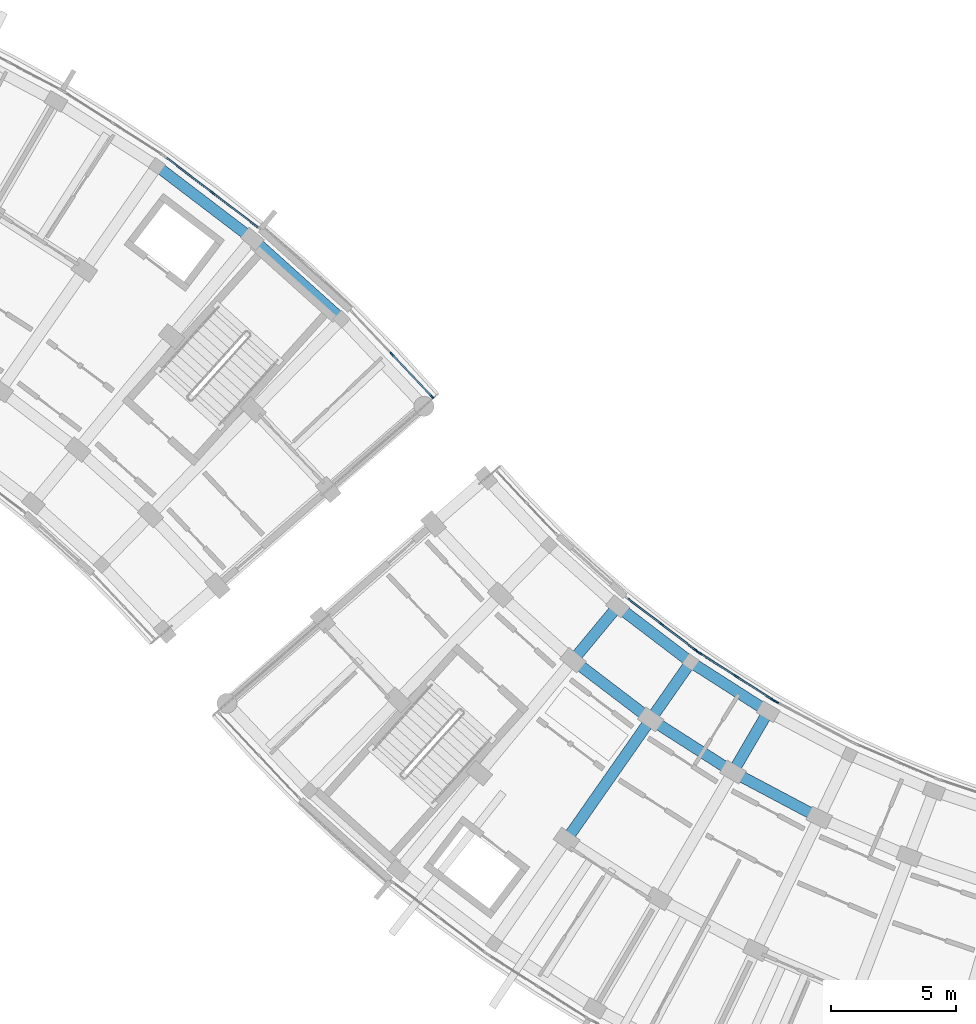
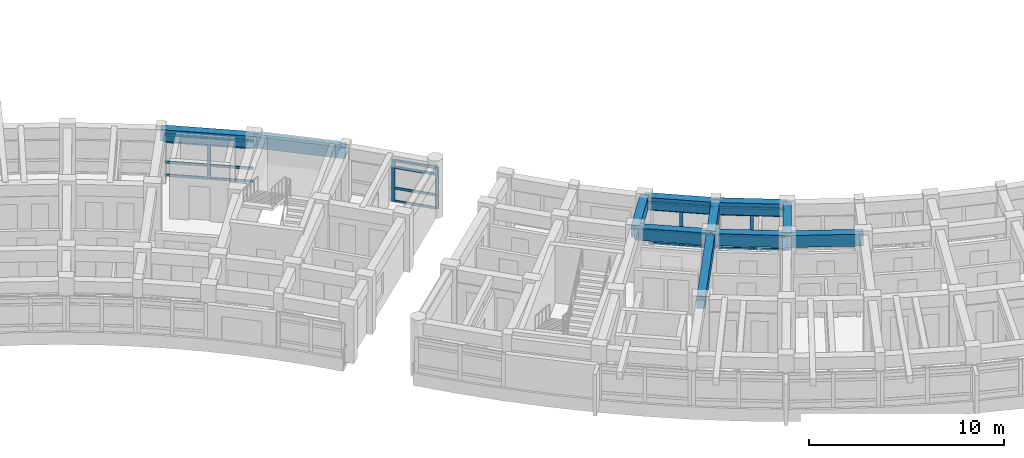
# One storey, part 32 of 83: 37 members, 11 beams, 5 elements without a shape of their own.
"""IFC4 building model written with IfcOpenShell, lengths in metres."""

from ifc_helpers import new_model, si_unit, direction, frame, origin, origin_2d, place, context, subcontext, project, spatial, rectangle, extrude, material, material_profile, profile_set, type_object, element, aggregate, save


model = new_model("IFC4")

# Units and contexts
model_context = context("Model", 3, precision=1e-05, world=origin(), true_north=direction((0.0, 1.0)))
body_context = subcontext(model_context, "Body", "Model", "MODEL_VIEW")
ifc_project = project(units=[si_unit("LENGTHUNIT", "METRE"), si_unit("AREAUNIT", "SQUARE_METRE"), si_unit("VOLUMEUNIT", "CUBIC_METRE"), si_unit("PLANEANGLEUNIT", "RADIAN"), si_unit("MASSUNIT", "GRAM", prefix="KILO")], contexts=[model_context])

# Site, building, storey
site_placement = place(None, origin())
site = spatial("IfcSite", under=ifc_project, at=site_placement, CompositionType="ELEMENT")
building_placement = place(site_placement, origin())
building = spatial("IfcBuilding", under=site, at=building_placement, Name="Zimvara Arc Housing Community", CompositionType="ELEMENT")
storey_placement = place(building_placement, frame((0.0, 0.0, 4.5)))
storey = spatial("IfcBuildingStorey", under=building, at=storey_placement, Name="L01", CompositionType="ELEMENT", Elevation=4.5)

# Beams
ifc_material_1 = material(Name="Concrete C40/50", Category="concrete")
ifc_material_profile_1 = material_profile(ifc_material_1, rectangle(XDim=0.43994140625, YDim=0.719970703125, at=origin_2d()), Name="RC 440x720")
ifc_profile_set_1 = profile_set([ifc_material_profile_1], Name="Concrete C40/50")
beam_type_1 = type_object("IfcBeamType", Name="BM-RC-440x720", PredefinedType="BEAM", material=ifc_profile_set_1)
beam_1_placement = place(storey_placement, frame((78.738525390625, 92.755126953125, 3.0), z_axis=(0.795480673672, -0.605978958228, 0.0), x_axis=(0.605978958228, 0.795480673672, 0.0)))
element("IfcBeam", 1, at=beam_1_placement, inside=storey, type_object=beam_type_1, Name="bm:blkB:L01:chord:r3:b7", PredefinedType="BEAM", context=body_context, shape_type="SweptSolid", body=[
    extrude(rectangle(XDim=0.43994140625, YDim=0.719970703125, at=origin_2d()), origin(), (0.0, 0.0, 1.0), 4.80810546875),
])
beam_2_placement = place(storey_placement, frame((82.563232421875, 89.841552734375, 3.0), z_axis=(0.743395133402, -0.668852506637, 0.0), x_axis=(0.668852506637, 0.743395133402, 0.0)))
element("IfcBeam", 2, at=beam_2_placement, inside=storey, type_object=beam_type_1, Name="bm:blkB:L01:chord:r3:b8", PredefinedType="BEAM", context=body_context, shape_type="SweptSolid", body=[
    extrude(rectangle(XDim=0.43994140625, YDim=0.719970703125, at=origin_2d()), origin(), (0.0, 0.0, 1.0), 4.807861328125),
])
ifc_material_2 = material(Name="Concrete C40/50", Category="concrete")
ifc_material_profile_2 = material_profile(ifc_material_2, rectangle(XDim=0.449951171875, YDim=0.75, at=origin_2d()), Name="RC 450x750")
ifc_profile_set_2 = profile_set([ifc_material_profile_2], Name="Concrete C40/50")
beam_type_2 = type_object("IfcBeamType", Name="BM-RC-450x750", PredefinedType="BEAM", material=ifc_profile_set_2)
for number, where, z_axis, x_axis, name in (
    (3, (97.195068359375, 75.114501953125, 2.985107421875), (0.795484955371, -0.605973337515, 0.0), (0.605973337515, 0.795484955371, 0.0), "bm:blkC:L01:chord:r0:b2"),
    (4, (100.1259765625, 72.8818359375, 2.985107421875), (0.842272604079, -0.539051816079, 0.0), (0.539051816079, 0.842272604079, 0.0), "bm:blkC:L01:chord:r0:b3"),
):
    element("IfcBeam", number, at=place(storey_placement, frame(where, z_axis=z_axis, x_axis=x_axis)), inside=storey, type_object=beam_type_2, Name=name, PredefinedType="BEAM", context=body_context, shape_type="SweptSolid", body=[
        extrude(rectangle(XDim=0.449951171875, YDim=0.75, at=origin_2d()), origin(), (0.0, 0.0, 1.0), 3.684326171875),
    ])
for number, where, z_axis, x_axis, name in (
    (5, (95.408935546875, 72.958251953125, 2.985107421875), (0.795500462697, -0.605952979899, 0.0), (0.605952979899, 0.795500462697, 0.0), "bm:blkC:L01:chord:r1:b2"),
    (6, (98.521728515625, 70.587158203125, 2.985107421875), (0.842224940184, -0.53912628403, 0.0), (0.53912628403, 0.842224940184, 0.0), "bm:blkC:L01:chord:r1:b3"),
    (7, (101.8173828125, 68.4775390625, 2.985107421875), (0.883464449706, -0.468498202884, 0.0), (0.468498202884, 0.883464449706, 0.0), "bm:blkC:L01:chord:r1:b4"),
):
    element("IfcBeam", number, at=place(storey_placement, frame(where, z_axis=z_axis, x_axis=x_axis)), inside=storey, type_object=beam_type_2, Name=name, PredefinedType="BEAM", context=body_context, shape_type="SweptSolid", body=[
        extrude(rectangle(XDim=0.449951171875, YDim=0.75, at=origin_2d()), origin(), (0.0, 0.0, 1.0), 3.9130859375),
    ])
beam_3_placement = place(storey_placement, frame((97.195068359375, 75.114501953125, 2.985107421875), z_axis=(-0.637917412223, -0.770104781951, 0.0), x_axis=(0.770104781951, -0.637917412223, 0.0)))
element("IfcBeam", 8, at=beam_3_placement, inside=storey, type_object=beam_type_2, Name="bm:blkC:L01:rad:b2:r01", PredefinedType="BEAM", context=body_context, shape_type="SweptSolid", body=[
    extrude(rectangle(XDim=0.449951171875, YDim=0.75, at=origin_2d()), origin(), (0.0, 0.0, 1.0), 2.800048828125),
])
beam_4_placement = place(storey_placement, frame((100.1259765625, 72.8818359375, 2.985107421875), z_axis=(-0.57297651105, -0.819571789281, 0.0), x_axis=(0.819571789281, -0.57297651105, 0.0)))
element("IfcBeam", 9, at=beam_4_placement, inside=storey, type_object=beam_type_2, Name="bm:blkC:L01:rad:b3:r01", PredefinedType="BEAM", context=body_context, shape_type="SweptSolid", body=[
    extrude(rectangle(XDim=0.449951171875, YDim=0.75, at=origin_2d()), origin(), (0.0, 0.0, 1.0), 2.7998046875),
])
beam_5_placement = place(storey_placement, frame((98.521728515625, 70.587158203125, 2.985107421875), z_axis=(-0.57300805165, -0.81954973781, 0.0), x_axis=(0.81954973781, -0.57300805165, 0.0)))
element("IfcBeam", 10, at=beam_5_placement, inside=storey, type_object=beam_type_2, Name="bm:blkC:L01:rad:b3:r12", PredefinedType="BEAM", context=body_context, shape_type="SweptSolid", body=[
    extrude(rectangle(XDim=0.449951171875, YDim=0.75, at=origin_2d()), origin(), (0.0, 0.0, 1.0), 5.880126953125),
])
beam_6_placement = place(storey_placement, frame((103.229248046875, 70.895751953125, 2.985107421875), z_axis=(-0.504201666262, -0.8635859423, 0.0), x_axis=(0.8635859423, -0.504201666262, 0.0)))
element("IfcBeam", 11, at=beam_6_placement, inside=storey, type_object=beam_type_2, Name="bm:blkC:L01:rad:b4:r01", PredefinedType="BEAM", context=body_context, shape_type="SweptSolid", body=[
    extrude(rectangle(XDim=0.449951171875, YDim=0.75, at=origin_2d()), origin(), (0.0, 0.0, 1.0), 2.80029296875),
])

# Curtain wall, members
ifc_material_3 = material(Name="Anodised Aluminium AW-6063", Category="aluminium")
curtain_wall_type_1 = type_object("IfcCurtainWallType", Name="CW-SYS-08", PredefinedType="USERDEFINED", material=ifc_material_3)
curtain_wall_1_placement = place(storey_placement, origin())
curtain_wall_1 = element("IfcCurtainWall", 12, at=curtain_wall_1_placement, inside=storey, type_object=curtain_wall_type_1, Name="cw:blkC:L01:in:b2", ObjectType="CURTAIN WALL", PredefinedType="USERDEFINED")
ifc_material_4 = material(Name="Anodised Aluminium AW-6063", Category="aluminium")
ifc_material_profile_3 = material_profile(ifc_material_4, rectangle(XDim=0.06494140625, YDim=0.179931640625, at=origin_2d()), Name="ALU 65x180")
ifc_profile_set_3 = profile_set([ifc_material_profile_3], Name="Anodised Aluminium AW-6063")
member_type_1 = type_object("IfcMemberType", Name="CWM-65x150", PredefinedType="MULLION", material=ifc_profile_set_3)
member_1_placement = place(storey_placement, frame((98.96337890625, 74.3955078125, 0.0), z_axis=(0.0, 0.0, 1.0), x_axis=(0.605988318533, 0.795473543119, 0.0)))
member_1 = element("IfcMember", 13, at=member_1_placement, type_object=member_type_1, Name="CW08 mullion 2", PredefinedType="MULLION", context=body_context, shape_type="SweptSolid", body=[
    extrude(rectangle(XDim=0.06494140625, YDim=0.179931640625, at=origin_2d()), origin(), (0.0, 0.0, 1.0), 2.60009765625),
])
member_2_placement = place(storey_placement, frame((100.3388671875, 73.34765625, 0.0), z_axis=(0.0, 0.0, 1.0), x_axis=(0.605988318533, 0.795473543119, 0.0)))
member_2 = element("IfcMember", 14, at=member_2_placement, type_object=member_type_1, Name="CW08 mullion 3", PredefinedType="MULLION", context=body_context, shape_type="SweptSolid", body=[
    extrude(rectangle(XDim=0.06494140625, YDim=0.179931640625, at=origin_2d()), origin(), (0.0, 0.0, 1.0), 2.60009765625),
])

ifc_material_5 = material(Name="Anodised Aluminium AW-6063", Category="aluminium")
curtain_wall_type_2 = type_object("IfcCurtainWallType", Name="CW-SYS-02", PredefinedType="USERDEFINED", material=ifc_material_5)
curtain_wall_2_placement = place(storey_placement, origin())
curtain_wall_2 = element("IfcCurtainWall", 15, at=curtain_wall_2_placement, inside=storey, type_object=curtain_wall_type_2, Name="cw:blkC:L01:in:b3", ObjectType="CURTAIN WALL", PredefinedType="USERDEFINED")
member_3_placement = place(storey_placement, frame((100.490478515625, 73.24169921875, 0.0), z_axis=(0.0, 0.0, 1.0), x_axis=(0.539064085203, 0.842264751752, 0.0)))
member_3 = element("IfcMember", 16, at=member_3_placement, type_object=member_type_1, Name="CW02 mullion 1", PredefinedType="MULLION", context=body_context, shape_type="SweptSolid", body=[
    extrude(rectangle(XDim=0.06494140625, YDim=0.179931640625, at=origin_2d()), origin(), (0.0, 0.0, 1.0), 2.60009765625),
])
member_4_placement = place(storey_placement, frame((101.947021484375, 72.3095703125, 0.0), z_axis=(0.0, 0.0, 1.0), x_axis=(0.539064085203, 0.842264751752, 0.0)))
member_4 = element("IfcMember", 17, at=member_4_placement, type_object=member_type_1, Name="CW02 mullion 2", PredefinedType="MULLION", context=body_context, shape_type="SweptSolid", body=[
    extrude(rectangle(XDim=0.06494140625, YDim=0.179931640625, at=origin_2d()), origin(), (0.0, 0.0, 1.0), 2.60009765625),
])
member_5_placement = place(storey_placement, frame((103.403564453125, 71.377197265625, 0.0), z_axis=(0.0, 0.0, 1.0), x_axis=(0.539064085203, 0.842264751752, 0.0)))
member_5 = element("IfcMember", 18, at=member_5_placement, type_object=member_type_1, Name="CW02 mullion 3", PredefinedType="MULLION", context=body_context, shape_type="SweptSolid", body=[
    extrude(rectangle(XDim=0.06494140625, YDim=0.179931640625, at=origin_2d()), origin(), (0.0, 0.0, 1.0), 2.60009765625),
])

# Curtain wall, member
ifc_material_6 = material(Name="Anodised Aluminium AW-6063", Category="aluminium")
curtain_wall_type_3 = type_object("IfcCurtainWallType", Name="CW-SYS-04", PredefinedType="USERDEFINED", material=ifc_material_6)
curtain_wall_3_placement = place(storey_placement, origin())
curtain_wall_3 = element("IfcCurtainWall", 19, at=curtain_wall_3_placement, inside=storey, type_object=curtain_wall_type_3, Name="cw:blkC:L01:in:b4", ObjectType="CURTAIN WALL", PredefinedType="USERDEFINED")
member_6_placement = place(storey_placement, frame((103.563232421875, 71.2841796875, 0.0), z_axis=(0.0, 0.0, 1.0), x_axis=(0.468544648573, 0.88343981815, 0.0)))
member_6 = element("IfcMember", 20, at=member_6_placement, type_object=member_type_1, Name="CW04 mullion 1", PredefinedType="MULLION", context=body_context, shape_type="SweptSolid", body=[
    extrude(rectangle(XDim=0.06494140625, YDim=0.179931640625, at=origin_2d()), origin(), (0.0, 0.0, 1.0), 2.60009765625),
])
aggregate(curtain_wall_3, [member_6])

ifc_material_7 = material(Name="Anodised Aluminium AW-6063", Category="aluminium")
curtain_wall_type_4 = type_object("IfcCurtainWallType", Name="CW-SYS-05", PredefinedType="USERDEFINED", material=ifc_material_7)
curtain_wall_4_placement = place(storey_placement, origin())
curtain_wall_4 = element("IfcCurtainWall", 21, at=curtain_wall_4_placement, inside=storey, type_object=curtain_wall_type_4, Name="cw:blkB:L01:out:b7", ObjectType="CURTAIN WALL", PredefinedType="USERDEFINED")
ifc_material_8 = material(Name="Anodised Aluminium AW-6063", Category="aluminium")
ifc_material_profile_4 = material_profile(ifc_material_8, rectangle(XDim=0.06494140625, YDim=0.195068359375, at=origin_2d()), Name="ALU 65x195")
ifc_profile_set_4 = profile_set([ifc_material_profile_4], Name="Anodised Aluminium AW-6063")
member_type_2 = type_object("IfcMemberType", Name="CWM-65x180", PredefinedType="MULLION", material=ifc_profile_set_4)
member_7_placement = place(storey_placement, frame((80.95361328125, 91.69580078125, 0.0), z_axis=(0.0, 0.0, 1.0), x_axis=(0.60598771987, 0.795473999177, 0.0)))
member_7 = element("IfcMember", 22, at=member_7_placement, type_object=member_type_2, Name="CW05 mullion 2", PredefinedType="MULLION", context=body_context, shape_type="SweptSolid", body=[
    extrude(rectangle(XDim=0.06494140625, YDim=0.195068359375, at=origin_2d()), origin(), (0.0, 0.0, 1.0), 2.60009765625),
])

# Curtain wall, members
ifc_material_9 = material(Name="Anodised Aluminium AW-6063", Category="aluminium")
curtain_wall_type_5 = type_object("IfcCurtainWallType", Name="CW-SYS-07", PredefinedType="USERDEFINED", material=ifc_material_9)
curtain_wall_5_placement = place(storey_placement, origin())
curtain_wall_5 = element("IfcCurtainWall", 23, at=curtain_wall_5_placement, inside=storey, type_object=curtain_wall_type_5, Name="cw:blkB:L01:out:b9", ObjectType="CURTAIN WALL", PredefinedType="USERDEFINED")
member_8_placement = place(storey_placement, frame((88.150634765625, 85.219970703125, 0.0), z_axis=(0.0, 0.0, 1.0), x_axis=(0.727293647725, 0.686326416495, 0.0)))
member_8 = element("IfcMember", 24, at=member_8_placement, type_object=member_type_2, Name="CW07 mullion 2", PredefinedType="MULLION", context=body_context, shape_type="SweptSolid", body=[
    extrude(rectangle(XDim=0.06494140625, YDim=0.195068359375, at=origin_2d()), origin(), (0.0, 0.0, 1.0), 2.60009765625),
])
member_9_placement = place(storey_placement, frame((89.751220703125, 83.524169921875, 0.0), z_axis=(0.0, 0.0, 1.0), x_axis=(0.727293647725, 0.686326416495, 0.0)))
member_9 = element("IfcMember", 25, at=member_9_placement, type_object=member_type_2, Name="CW07 mullion 3", PredefinedType="MULLION", context=body_context, shape_type="SweptSolid", body=[
    extrude(rectangle(XDim=0.06494140625, YDim=0.195068359375, at=origin_2d()), origin(), (0.0, 0.0, 1.0), 2.60009765625),
])

# Member
ifc_material_10 = material(Name="Anodised Aluminium AW-6063", Category="aluminium")
ifc_material_profile_5 = material_profile(ifc_material_10, rectangle(XDim=0.06494140625, YDim=0.139892578125, at=origin_2d()), Name="ALU 65x140")
ifc_profile_set_5 = profile_set([ifc_material_profile_5], Name="Anodised Aluminium AW-6063")
member_type_3 = type_object("IfcMemberType", Name="CWT-65x120", PredefinedType="USERDEFINED", material=ifc_profile_set_5)
member_10_placement = place(storey_placement, frame((97.613525390625, 75.423828125, 0.032470703125), z_axis=(0.795488960577, -0.605968079687, 0.0), x_axis=(0.605968079687, 0.795488960577, 0.0)))
member_10 = element("IfcMember", 26, at=member_10_placement, type_object=member_type_3, Name="CW08 transom 1.1", ObjectType="TRANSOM", PredefinedType="USERDEFINED", context=body_context, shape_type="SweptSolid", body=[
    extrude(rectangle(XDim=0.06494140625, YDim=0.139892578125, at=origin_2d()), origin(), (0.0, 0.0, 1.0), 1.664306640625),
])

member_11_placement = place(storey_placement, frame((97.613525390625, 75.423828125, 0.85009765625), z_axis=(0.795488960577, -0.605968079687, 0.0), x_axis=(0.605968079687, 0.795488960577, 0.0)))
member_11 = element("IfcMember", 27, at=member_11_placement, type_object=member_type_3, Name="CW08 transom 1.2", ObjectType="TRANSOM", PredefinedType="USERDEFINED", context=body_context, shape_type="SweptSolid", body=[
    extrude(rectangle(XDim=0.06494140625, YDim=0.139892578125, at=origin_2d()), origin(), (0.0, 0.0, 1.0), 1.664306640625),
])

member_12_placement = place(storey_placement, frame((97.613525390625, 75.423828125, 2.14990234375), z_axis=(0.795488960577, -0.605968079687, 0.0), x_axis=(0.605968079687, 0.795488960577, 0.0)))
member_12 = element("IfcMember", 28, at=member_12_placement, type_object=member_type_3, Name="CW08 transom 1.3", ObjectType="TRANSOM", PredefinedType="USERDEFINED", context=body_context, shape_type="SweptSolid", body=[
    extrude(rectangle(XDim=0.06494140625, YDim=0.139892578125, at=origin_2d()), origin(), (0.0, 0.0, 1.0), 1.664306640625),
])

member_13_placement = place(storey_placement, frame((97.613525390625, 75.423828125, 2.5673828125), z_axis=(0.795488960577, -0.605968079687, 0.0), x_axis=(0.605968079687, 0.795488960577, 0.0)))
member_13 = element("IfcMember", 29, at=member_13_placement, type_object=member_type_3, Name="CW08 transom 1.4", ObjectType="TRANSOM", PredefinedType="USERDEFINED", context=body_context, shape_type="SweptSolid", body=[
    extrude(rectangle(XDim=0.06494140625, YDim=0.139892578125, at=origin_2d()), origin(), (0.0, 0.0, 1.0), 1.664306640625),
])

member_14_placement = place(storey_placement, frame((98.9892578125, 74.3759765625, 0.032470703125), z_axis=(0.795435087713, -0.606038795157, 0.0), x_axis=(0.606038795157, 0.795435087713, 0.0)))
member_14 = element("IfcMember", 30, at=member_14_placement, type_object=member_type_3, Name="CW08 transom 2.1", ObjectType="TRANSOM", PredefinedType="USERDEFINED", context=body_context, shape_type="SweptSolid", body=[
    extrude(rectangle(XDim=0.06494140625, YDim=0.139892578125, at=origin_2d()), origin(), (0.0, 0.0, 1.0), 1.6640625),
])

member_15_placement = place(storey_placement, frame((98.9892578125, 74.3759765625, 0.85009765625), z_axis=(0.795435087713, -0.606038795157, 0.0), x_axis=(0.606038795157, 0.795435087713, 0.0)))
member_15 = element("IfcMember", 31, at=member_15_placement, type_object=member_type_3, Name="CW08 transom 2.2", ObjectType="TRANSOM", PredefinedType="USERDEFINED", context=body_context, shape_type="SweptSolid", body=[
    extrude(rectangle(XDim=0.06494140625, YDim=0.139892578125, at=origin_2d()), origin(), (0.0, 0.0, 1.0), 1.6640625),
])

member_16_placement = place(storey_placement, frame((98.9892578125, 74.3759765625, 2.14990234375), z_axis=(0.795435087713, -0.606038795157, 0.0), x_axis=(0.606038795157, 0.795435087713, 0.0)))
member_16 = element("IfcMember", 32, at=member_16_placement, type_object=member_type_3, Name="CW08 transom 2.3", ObjectType="TRANSOM", PredefinedType="USERDEFINED", context=body_context, shape_type="SweptSolid", body=[
    extrude(rectangle(XDim=0.06494140625, YDim=0.139892578125, at=origin_2d()), origin(), (0.0, 0.0, 1.0), 1.6640625),
])

member_17_placement = place(storey_placement, frame((98.9892578125, 74.3759765625, 2.5673828125), z_axis=(0.795435087713, -0.606038795157, 0.0), x_axis=(0.606038795157, 0.795435087713, 0.0)))
member_17 = element("IfcMember", 33, at=member_17_placement, type_object=member_type_3, Name="CW08 transom 2.4", ObjectType="TRANSOM", PredefinedType="USERDEFINED", context=body_context, shape_type="SweptSolid", body=[
    extrude(rectangle(XDim=0.06494140625, YDim=0.139892578125, at=origin_2d()), origin(), (0.0, 0.0, 1.0), 1.6640625),
])

aggregate(curtain_wall_1, [member_1, member_2, member_10, member_11, member_12, member_13, member_14, member_15, member_16, member_17])

member_18_placement = place(storey_placement, frame((100.517822265625, 73.22412109375, 0.032470703125), z_axis=(0.842263408668, -0.539066183709, 0.0), x_axis=(0.539066183709, 0.842263408668, 0.0)))
member_18 = element("IfcMember", 34, at=member_18_placement, type_object=member_type_3, Name="CW02 transom 1.1", ObjectType="TRANSOM", PredefinedType="USERDEFINED", context=body_context, shape_type="SweptSolid", body=[
    extrude(rectangle(XDim=0.06494140625, YDim=0.139892578125, at=origin_2d()), origin(), (0.0, 0.0, 1.0), 1.664306640625),
])

member_19_placement = place(storey_placement, frame((100.517822265625, 73.22412109375, 0.85009765625), z_axis=(0.842263408668, -0.539066183709, 0.0), x_axis=(0.539066183709, 0.842263408668, 0.0)))
member_19 = element("IfcMember", 35, at=member_19_placement, type_object=member_type_3, Name="CW02 transom 1.2", ObjectType="TRANSOM", PredefinedType="USERDEFINED", context=body_context, shape_type="SweptSolid", body=[
    extrude(rectangle(XDim=0.06494140625, YDim=0.139892578125, at=origin_2d()), origin(), (0.0, 0.0, 1.0), 1.664306640625),
])

member_20_placement = place(storey_placement, frame((100.517822265625, 73.22412109375, 2.14990234375), z_axis=(0.842263408668, -0.539066183709, 0.0), x_axis=(0.539066183709, 0.842263408668, 0.0)))
member_20 = element("IfcMember", 36, at=member_20_placement, type_object=member_type_3, Name="CW02 transom 1.3", ObjectType="TRANSOM", PredefinedType="USERDEFINED", context=body_context, shape_type="SweptSolid", body=[
    extrude(rectangle(XDim=0.06494140625, YDim=0.139892578125, at=origin_2d()), origin(), (0.0, 0.0, 1.0), 1.664306640625),
])

member_21_placement = place(storey_placement, frame((100.517822265625, 73.22412109375, 2.5673828125), z_axis=(0.842263408668, -0.539066183709, 0.0), x_axis=(0.539066183709, 0.842263408668, 0.0)))
member_21 = element("IfcMember", 37, at=member_21_placement, type_object=member_type_3, Name="CW02 transom 1.4", ObjectType="TRANSOM", PredefinedType="USERDEFINED", context=body_context, shape_type="SweptSolid", body=[
    extrude(rectangle(XDim=0.06494140625, YDim=0.139892578125, at=origin_2d()), origin(), (0.0, 0.0, 1.0), 1.664306640625),
])

member_22_placement = place(storey_placement, frame((101.974365234375, 72.2919921875, 0.032470703125), z_axis=(0.842263408668, -0.539066183709, 0.0), x_axis=(0.539066183709, 0.842263408668, 0.0)))
member_22 = element("IfcMember", 38, at=member_22_placement, type_object=member_type_3, Name="CW02 transom 2.1", ObjectType="TRANSOM", PredefinedType="USERDEFINED", context=body_context, shape_type="SweptSolid", body=[
    extrude(rectangle(XDim=0.06494140625, YDim=0.139892578125, at=origin_2d()), origin(), (0.0, 0.0, 1.0), 1.664306640625),
])

member_23_placement = place(storey_placement, frame((101.974365234375, 72.2919921875, 0.85009765625), z_axis=(0.842263408668, -0.539066183709, 0.0), x_axis=(0.539066183709, 0.842263408668, 0.0)))
member_23 = element("IfcMember", 39, at=member_23_placement, type_object=member_type_3, Name="CW02 transom 2.2", ObjectType="TRANSOM", PredefinedType="USERDEFINED", context=body_context, shape_type="SweptSolid", body=[
    extrude(rectangle(XDim=0.06494140625, YDim=0.139892578125, at=origin_2d()), origin(), (0.0, 0.0, 1.0), 1.664306640625),
])

member_24_placement = place(storey_placement, frame((101.974365234375, 72.2919921875, 2.14990234375), z_axis=(0.842263408668, -0.539066183709, 0.0), x_axis=(0.539066183709, 0.842263408668, 0.0)))
member_24 = element("IfcMember", 40, at=member_24_placement, type_object=member_type_3, Name="CW02 transom 2.3", ObjectType="TRANSOM", PredefinedType="USERDEFINED", context=body_context, shape_type="SweptSolid", body=[
    extrude(rectangle(XDim=0.06494140625, YDim=0.139892578125, at=origin_2d()), origin(), (0.0, 0.0, 1.0), 1.664306640625),
])

member_25_placement = place(storey_placement, frame((101.974365234375, 72.2919921875, 2.5673828125), z_axis=(0.842263408668, -0.539066183709, 0.0), x_axis=(0.539066183709, 0.842263408668, 0.0)))
member_25 = element("IfcMember", 41, at=member_25_placement, type_object=member_type_3, Name="CW02 transom 2.4", ObjectType="TRANSOM", PredefinedType="USERDEFINED", context=body_context, shape_type="SweptSolid", body=[
    extrude(rectangle(XDim=0.06494140625, YDim=0.139892578125, at=origin_2d()), origin(), (0.0, 0.0, 1.0), 1.664306640625),
])

aggregate(curtain_wall_2, [member_3, member_4, member_5, member_18, member_19, member_20, member_21, member_22, member_23, member_24, member_25])

ifc_material_11 = material(Name="Anodised Aluminium AW-6063", Category="aluminium")
ifc_material_profile_6 = material_profile(ifc_material_11, rectangle(XDim=0.06494140625, YDim=0.155029296875, at=origin_2d()), Name="ALU 65x155")
ifc_profile_set_6 = profile_set([ifc_material_profile_6], Name="Anodised Aluminium AW-6063")
member_type_4 = type_object("IfcMemberType", Name="CWT-65x140", PredefinedType="USERDEFINED", material=ifc_profile_set_6)
member_26_placement = place(storey_placement, frame((79.12451171875, 93.08935546875, 0.032470703125), z_axis=(0.795453969776, -0.606014011363, 0.0), x_axis=(0.606014011363, 0.795453969776, 0.0)))
member_26 = element("IfcMember", 42, at=member_26_placement, type_object=member_type_4, Name="CW05 transom 1.1", ObjectType="TRANSOM", PredefinedType="USERDEFINED", context=body_context, shape_type="SweptSolid", body=[
    extrude(rectangle(XDim=0.06494140625, YDim=0.155029296875, at=origin_2d()), origin(), (0.0, 0.0, 1.0), 2.266845703125),
])

member_27_placement = place(storey_placement, frame((79.12451171875, 93.08935546875, 0.85009765625), z_axis=(0.795453969776, -0.606014011363, 0.0), x_axis=(0.606014011363, 0.795453969776, 0.0)))
member_27 = element("IfcMember", 43, at=member_27_placement, type_object=member_type_4, Name="CW05 transom 1.2", ObjectType="TRANSOM", PredefinedType="USERDEFINED", context=body_context, shape_type="SweptSolid", body=[
    extrude(rectangle(XDim=0.06494140625, YDim=0.155029296875, at=origin_2d()), origin(), (0.0, 0.0, 1.0), 2.266845703125),
])

member_28_placement = place(storey_placement, frame((79.12451171875, 93.08935546875, 2.14990234375), z_axis=(0.795453969776, -0.606014011363, 0.0), x_axis=(0.606014011363, 0.795453969776, 0.0)))
member_28 = element("IfcMember", 44, at=member_28_placement, type_object=member_type_4, Name="CW05 transom 1.3", ObjectType="TRANSOM", PredefinedType="USERDEFINED", context=body_context, shape_type="SweptSolid", body=[
    extrude(rectangle(XDim=0.06494140625, YDim=0.155029296875, at=origin_2d()), origin(), (0.0, 0.0, 1.0), 2.266845703125),
])

member_29_placement = place(storey_placement, frame((79.12451171875, 93.08935546875, 2.5673828125), z_axis=(0.795453969776, -0.606014011363, 0.0), x_axis=(0.606014011363, 0.795453969776, 0.0)))
member_29 = element("IfcMember", 45, at=member_29_placement, type_object=member_type_4, Name="CW05 transom 1.4", ObjectType="TRANSOM", PredefinedType="USERDEFINED", context=body_context, shape_type="SweptSolid", body=[
    extrude(rectangle(XDim=0.06494140625, YDim=0.155029296875, at=origin_2d()), origin(), (0.0, 0.0, 1.0), 2.266845703125),
])

member_30_placement = place(storey_placement, frame((80.9794921875, 91.676025390625, 0.032470703125), z_axis=(0.795505886513, -0.605945859399, 0.0), x_axis=(0.605945859399, 0.795505886513, 0.0)))
member_30 = element("IfcMember", 46, at=member_30_placement, type_object=member_type_4, Name="CW05 transom 2.1", ObjectType="TRANSOM", PredefinedType="USERDEFINED", context=body_context, shape_type="SweptSolid", body=[
    extrude(rectangle(XDim=0.06494140625, YDim=0.155029296875, at=origin_2d()), origin(), (0.0, 0.0, 1.0), 2.266845703125),
])

member_31_placement = place(storey_placement, frame((80.9794921875, 91.676025390625, 0.85009765625), z_axis=(0.795505886513, -0.605945859399, 0.0), x_axis=(0.605945859399, 0.795505886513, 0.0)))
member_31 = element("IfcMember", 47, at=member_31_placement, type_object=member_type_4, Name="CW05 transom 2.2", ObjectType="TRANSOM", PredefinedType="USERDEFINED", context=body_context, shape_type="SweptSolid", body=[
    extrude(rectangle(XDim=0.06494140625, YDim=0.155029296875, at=origin_2d()), origin(), (0.0, 0.0, 1.0), 2.266845703125),
])

member_32_placement = place(storey_placement, frame((80.9794921875, 91.676025390625, 2.14990234375), z_axis=(0.795505886513, -0.605945859399, 0.0), x_axis=(0.605945859399, 0.795505886513, 0.0)))
member_32 = element("IfcMember", 48, at=member_32_placement, type_object=member_type_4, Name="CW05 transom 2.3", ObjectType="TRANSOM", PredefinedType="USERDEFINED", context=body_context, shape_type="SweptSolid", body=[
    extrude(rectangle(XDim=0.06494140625, YDim=0.155029296875, at=origin_2d()), origin(), (0.0, 0.0, 1.0), 2.266845703125),
])

member_33_placement = place(storey_placement, frame((80.9794921875, 91.676025390625, 2.5673828125), z_axis=(0.795505886513, -0.605945859399, 0.0), x_axis=(0.605945859399, 0.795505886513, 0.0)))
member_33 = element("IfcMember", 49, at=member_33_placement, type_object=member_type_4, Name="CW05 transom 2.4", ObjectType="TRANSOM", PredefinedType="USERDEFINED", context=body_context, shape_type="SweptSolid", body=[
    extrude(rectangle(XDim=0.06494140625, YDim=0.155029296875, at=origin_2d()), origin(), (0.0, 0.0, 1.0), 2.266845703125),
])

aggregate(curtain_wall_4, [member_7, member_26, member_27, member_28, member_29, member_30, member_31, member_32, member_33])

member_34_placement = place(storey_placement, frame((88.173095703125, 85.196533203125, 0.032470703125), z_axis=(0.68623762882, -0.727377423894, 0.0), x_axis=(0.727377423894, 0.68623762882, 0.0)))
member_34 = element("IfcMember", 50, at=member_34_placement, type_object=member_type_4, Name="CW07 transom 2.1", ObjectType="TRANSOM", PredefinedType="USERDEFINED", context=body_context, shape_type="SweptSolid", body=[
    extrude(rectangle(XDim=0.06494140625, YDim=0.155029296875, at=origin_2d()), origin(), (0.0, 0.0, 1.0), 2.266845703125),
])

member_35_placement = place(storey_placement, frame((88.173095703125, 85.196533203125, 0.85009765625), z_axis=(0.68623762882, -0.727377423894, 0.0), x_axis=(0.727377423894, 0.68623762882, 0.0)))
member_35 = element("IfcMember", 51, at=member_35_placement, type_object=member_type_4, Name="CW07 transom 2.2", ObjectType="TRANSOM", PredefinedType="USERDEFINED", context=body_context, shape_type="SweptSolid", body=[
    extrude(rectangle(XDim=0.06494140625, YDim=0.155029296875, at=origin_2d()), origin(), (0.0, 0.0, 1.0), 2.266845703125),
])

member_36_placement = place(storey_placement, frame((88.173095703125, 85.196533203125, 2.14990234375), z_axis=(0.68623762882, -0.727377423894, 0.0), x_axis=(0.727377423894, 0.68623762882, 0.0)))
member_36 = element("IfcMember", 52, at=member_36_placement, type_object=member_type_4, Name="CW07 transom 2.3", ObjectType="TRANSOM", PredefinedType="USERDEFINED", context=body_context, shape_type="SweptSolid", body=[
    extrude(rectangle(XDim=0.06494140625, YDim=0.155029296875, at=origin_2d()), origin(), (0.0, 0.0, 1.0), 2.266845703125),
])

member_37_placement = place(storey_placement, frame((88.173095703125, 85.196533203125, 2.5673828125), z_axis=(0.68623762882, -0.727377423894, 0.0), x_axis=(0.727377423894, 0.68623762882, 0.0)))
member_37 = element("IfcMember", 53, at=member_37_placement, type_object=member_type_4, Name="CW07 transom 2.4", ObjectType="TRANSOM", PredefinedType="USERDEFINED", context=body_context, shape_type="SweptSolid", body=[
    extrude(rectangle(XDim=0.06494140625, YDim=0.155029296875, at=origin_2d()), origin(), (0.0, 0.0, 1.0), 2.266845703125),
])

aggregate(curtain_wall_5, [member_8, member_9, member_34, member_35, member_36, member_37])

save(model, "model.ifc")
